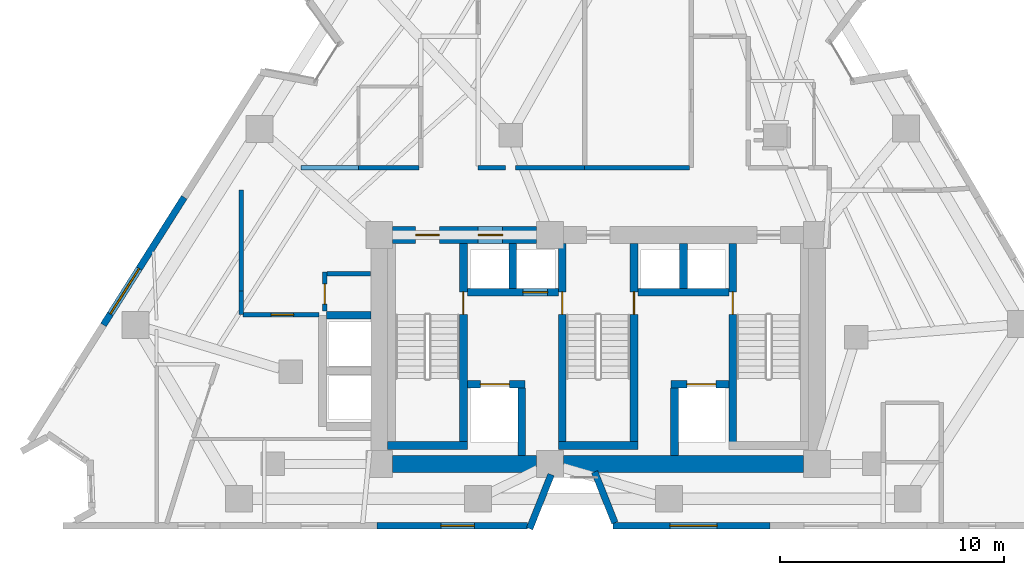
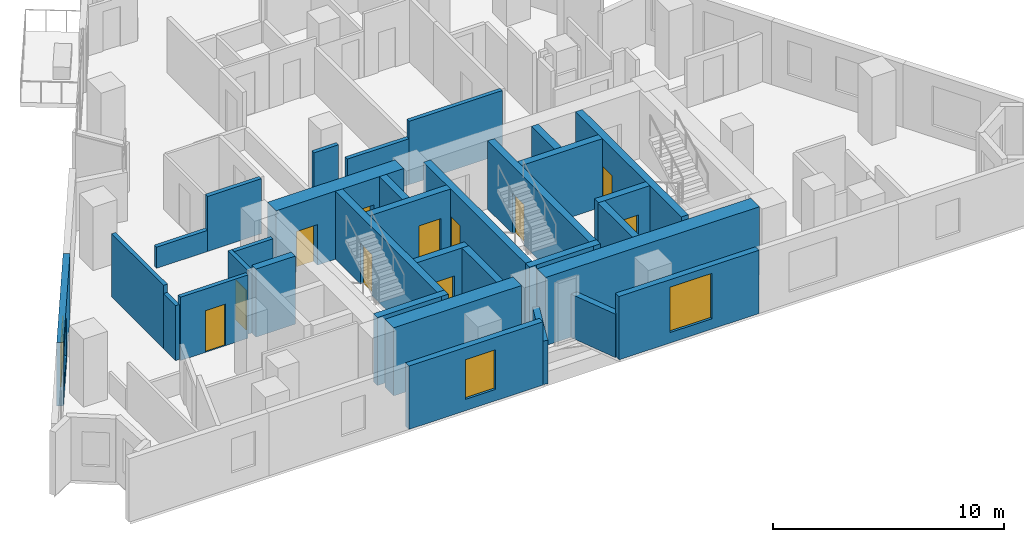
# One storey, part 6 of 11: 33 walls, 11 doors, 3 windows, 14 openings.
"""IFC4 building model written with IfcOpenShell, lengths in metres."""

from ifc_helpers import new_model, si_unit, direction, frame, frame_2d, origin, place, context, subcontext, project, spatial, rectangle, extrude, material, layer, layer_set, type_object, element, fill, save


model = new_model("IFC4")

# Units and contexts
model_context = context("Model", 3, precision=1e-05, world=origin(), true_north=direction((0.0, 1.0)))
body_context = subcontext(model_context, "Body", "Model", "MODEL_VIEW")
ifc_project = project(units=[si_unit("LENGTHUNIT", "METRE"), si_unit("AREAUNIT", "SQUARE_METRE"), si_unit("VOLUMEUNIT", "CUBIC_METRE"), si_unit("PLANEANGLEUNIT", "RADIAN"), si_unit("MASSUNIT", "GRAM", prefix="KILO")], contexts=[model_context])

# Site, building, storey
site_placement = place(None, origin())
site = spatial("IfcSite", under=ifc_project, at=site_placement, CompositionType="ELEMENT")
building_placement = place(site_placement, origin())
building = spatial("IfcBuilding", under=site, at=building_placement, Name="Almagre Mirador Tower", CompositionType="ELEMENT")
storey_placement = place(building_placement, frame((0.0, 0.0, 128.39990234375)))
storey = spatial("IfcBuildingStorey", under=building, at=storey_placement, Name="L32", CompositionType="ELEMENT", Elevation=128.39990234375)

# Wall, opening, window
ifc_material_1 = material(Name="Precast concrete C50/60", Category="concrete")
ifc_layer_1 = layer(ifc_material_1, 0.300048828125)
ifc_layer_set_1 = layer_set([ifc_layer_1], Name="Precast concrete C50/60")
wall_type_1 = type_object("IfcWallType", Name="WAL-EXT-300", PredefinedType="SOLIDWALL", material=ifc_layer_set_1)
wall_1_placement = place(storey_placement, frame((44.953369140625, 1.800048828125, 0.0), z_axis=(0.0, 0.0, 1.0), x_axis=(-1.0, 0.0, 0.0)))
wall_1 = element("IfcWall", 1, at=wall_1_placement, inside=storey, type_object=wall_type_1, Name="L32 expressed almagre precast frame wall 23", PredefinedType="SOLIDWALL", context=body_context, shape_type="SweptSolid", body=[
    extrude(rectangle(XDim=6.993408203125, YDim=0.300048828125, at=frame_2d((3.49658203125, 0.0))), origin(), (0.0, 0.0, 1.0), 3.35009765625),
])
opening_1_placement = place(wall_1_placement, frame((2.35009765625, 0.0, 0.550048828125)))
opening_1 = element("IfcOpeningElement", 2, at=opening_1_placement, cuts=wall_1, Name="Opening WN-05", PredefinedType="OPENING", context=body_context, shape_type="SweptSolid", body=[
    extrude(rectangle(XDim=2.10009765625, YDim=2.39990234375, at=frame_2d((1.050048828125, 1.199951171875))), frame((0.0, 0.159902, 0.0), z_axis=(0.0, -1.0, 0.0), x_axis=(1.0, 0.0, 0.0)), (0.0, 0.0, 1.0), 0.320049),
])
ifc_material_2 = material(Name="Dark solar-control laminated hurricane glass", Category="glass")
window_type_1 = type_object("IfcWindowType", Name="WIN-2100X2400", PartitioningType="DOUBLE_PANEL_VERTICAL", PredefinedType="WINDOW", material=ifc_material_2)
window_1_placement = place(opening_1_placement, origin())
window_1 = element("IfcWindow", 3, at=window_1_placement, inside=storey, type_object=window_type_1, Name="L32 recessed hurricane window L32-RST-B", OverallHeight=2.39990234375, OverallWidth=2.10009765625, PartitioningType="SINGLE_PANEL", PredefinedType="WINDOW", context=body_context, shape_type="SweptSolid", body=[
    extrude(rectangle(XDim=2.10009765625, YDim=2.39990234375, at=frame_2d((1.050048828125, 1.199951171875))), frame((0.0, 0.030029296875, 0.0), z_axis=(0.0, -1.0, 0.0), x_axis=(1.0, 0.0, 0.0)), (0.0, 0.0, 1.0), 0.06005859375),
])
fill(opening_1, window_1)

# Walls
wall_2_placement = place(storey_placement, frame((38.048095703125, 1.93017578125, 0.0), z_axis=(0.0, 0.0, 1.0), x_axis=(-0.369476217581, 0.929240186734, 0.0)))
element("IfcWall", 4, at=wall_2_placement, inside=storey, type_object=wall_type_1, Name="L32 expressed almagre precast frame wall 24", PredefinedType="SOLIDWALL", context=body_context, shape_type="SweptSolid", body=[
    extrude(rectangle(XDim=2.441650390625, YDim=0.300048828125, at=frame_2d((1.220703125, 0.0))), origin(), (0.0, 0.0, 1.0), 2.300048828125),
])
wall_3_placement = place(storey_placement, frame((35.206787109375, 4.080078125, 0.0), z_axis=(0.0, 0.0, 1.0), x_axis=(-0.369539870332, -0.929214875169, 0.0)))
element("IfcWall", 5, at=wall_3_placement, inside=storey, type_object=wall_type_1, Name="L32 expressed almagre precast frame wall 25", PredefinedType="SOLIDWALL", context=body_context, shape_type="SweptSolid", body=[
    extrude(rectangle(XDim=2.59375, YDim=0.300048828125, at=frame_2d((1.296875, 0.0))), origin(), (0.0, 0.0, 1.0), 2.300048828125),
])

# Wall, opening, window
wall_4_placement = place(storey_placement, frame((34.159912109375, 1.800048828125, 0.0), z_axis=(0.0, 0.0, 1.0), x_axis=(-1.0, 0.0, 0.0)))
wall_4 = element("IfcWall", 6, at=wall_4_placement, inside=storey, type_object=wall_type_1, Name="L32 expressed almagre precast frame wall 26", PredefinedType="SOLIDWALL", context=body_context, shape_type="SweptSolid", body=[
    extrude(rectangle(XDim=6.713134765625, YDim=0.300048828125, at=frame_2d((3.3564453125, 0.0))), origin(), (0.0, 0.0, 1.0), 3.35009765625),
])
opening_2_placement = place(wall_4_placement, frame((2.3701171875, 0.0, 0.60009765625)))
opening_2 = element("IfcOpeningElement", 7, at=opening_2_placement, cuts=wall_4, Name="Opening WN-03", PredefinedType="OPENING", context=body_context, shape_type="SweptSolid", body=[
    extrude(rectangle(XDim=1.5, YDim=2.10009765625, at=frame_2d((0.75, 1.050048828125))), frame((0.0, 0.159902, 0.0), z_axis=(0.0, -1.0, 0.0), x_axis=(1.0, 0.0, 0.0)), (0.0, 0.0, 1.0), 0.320049),
])
ifc_material_3 = material(Name="Dark solar-control laminated hurricane glass", Category="glass")
window_type_2 = type_object("IfcWindowType", Name="WIN-1500X2100", PartitioningType="DOUBLE_PANEL_VERTICAL", PredefinedType="WINDOW", material=ifc_material_3)
window_2_placement = place(opening_2_placement, origin())
window_2 = element("IfcWindow", 8, at=window_2_placement, inside=storey, type_object=window_type_2, Name="L32 recessed hurricane window L32-RST-B", OverallHeight=2.10009765625, OverallWidth=1.5, PartitioningType="SINGLE_PANEL", PredefinedType="WINDOW", context=body_context, shape_type="SweptSolid", body=[
    extrude(rectangle(XDim=1.5, YDim=2.10009765625, at=frame_2d((0.75, 1.050048828125))), frame((0.0, 0.030029296875, 0.0), z_axis=(0.0, -1.0, 0.0), x_axis=(1.0, 0.0, 0.0)), (0.0, 0.0, 1.0), 0.06005859375),
])
fill(opening_2, window_2)

wall_5_placement = place(storey_placement, frame((15.262451171875, 10.74560546875, 0.0), z_axis=(0.0, 0.0, 1.0), x_axis=(0.534880248718, 0.844927878302, 0.0)))
wall_5 = element("IfcWall", 9, at=wall_5_placement, inside=storey, type_object=wall_type_1, Name="L32 expressed almagre precast frame wall 34", PredefinedType="SOLIDWALL", context=body_context, shape_type="SweptSolid", body=[
    extrude(rectangle(XDim=6.72705078125, YDim=0.300048828125, at=frame_2d((3.363525390625, 0.0))), origin(), (0.0, 0.0, 1.0), 3.35009765625),
])
opening_3_placement = place(wall_5_placement, frame((0.574951171875, 0.0, 0.60009765625)))
opening_3 = element("IfcOpeningElement", 10, at=opening_3_placement, cuts=wall_5, Name="Opening WN-02", PredefinedType="OPENING", context=body_context, shape_type="SweptSolid", body=[
    extrude(rectangle(XDim=2.39990234375, YDim=2.10009765625, at=frame_2d((1.199951171875, 1.050048828125))), frame((0.0, 0.159902, 0.0), z_axis=(0.0, -1.0, 0.0), x_axis=(1.0, 0.0, 0.0)), (0.0, 0.0, 1.0), 0.320049),
])
ifc_material_4 = material(Name="Dark solar-control laminated hurricane glass", Category="glass")
window_type_3 = type_object("IfcWindowType", Name="WIN-2400X2100", PartitioningType="TRIPLE_PANEL_VERTICAL", PredefinedType="WINDOW", material=ifc_material_4)
window_3_placement = place(opening_3_placement, origin())
window_3 = element("IfcWindow", 11, at=window_3_placement, inside=storey, type_object=window_type_3, Name="L32 recessed hurricane window L32-UD-KT", OverallHeight=2.10009765625, OverallWidth=2.39990234375, PartitioningType="SINGLE_PANEL", PredefinedType="WINDOW", context=body_context, shape_type="SweptSolid", body=[
    extrude(rectangle(XDim=2.39990234375, YDim=2.10009765625, at=frame_2d((1.199951171875, 1.050048828125))), frame((0.0, 0.030029296875, 0.0), z_axis=(0.0, -1.0, 0.0), x_axis=(1.0, 0.0, 0.0)), (0.0, 0.0, 1.0), 0.06005859375),
])
fill(opening_3, window_3)

# Wall, opening, door
ifc_material_5 = material(Name="Gypsum acoustic stud partition", Category="other")
ifc_layer_2 = layer(ifc_material_5, 0.199951171875)
ifc_layer_set_2 = layer_set([ifc_layer_2], Name="Gypsum acoustic stud partition")
wall_type_2 = type_object("IfcWallType", Name="WAL-PRT-200-EI60", PredefinedType="PARTITIONING", material=ifc_layer_set_2)
wall_6_placement = place(storey_placement, frame((25.1201171875, 11.3701171875, 0.0), z_axis=(0.0, 0.0, 1.0), x_axis=(0.0, 1.0, 0.0)))
wall_6 = element("IfcWall", 12, at=wall_6_placement, inside=storey, type_object=wall_type_2, Name="L32 core ancillary west wall", PredefinedType="PARTITIONING", context=body_context, shape_type="SweptSolid", body=[
    extrude(rectangle(XDim=1.739990234375, YDim=0.199951171875, at=frame_2d((0.8701171875, 0.0))), origin(), (0.0, 0.0, 1.0), 3.35009765625),
])
opening_4_placement = place(wall_6_placement, frame((0.304931640625, 0.0, 0.0)))
opening_4 = element("IfcOpeningElement", 13, at=opening_4_placement, cuts=wall_6, Name="Opening ID-03", PredefinedType="OPENING", context=body_context, shape_type="SweptSolid", body=[
    extrude(rectangle(XDim=0.89990234375, YDim=2.10009765625, at=frame_2d((0.449951171875, 1.050048828125))), frame((0.0, 0.110098, 0.0), z_axis=(0.0, -1.0, 0.0), x_axis=(1.0, 0.0, 0.0)), (0.0, 0.0, 1.0), 0.219951),
])
ifc_material_6 = material(Name="Fire-rated hollow steel", Category="steel")
door_type_1 = type_object("IfcDoorType", Name="DOR-FD60-900X2100", OperationType="NOTDEFINED", PredefinedType="DOOR", material=ifc_material_6)
door_1_placement = place(opening_4_placement, origin())
door_1 = element("IfcDoor", 14, at=door_1_placement, inside=storey, type_object=door_type_1, Name="DR-1038 L32 core ancillary corridor door", OperationType="SINGLE_SWING_LEFT", OverallHeight=2.10009765625, OverallWidth=0.89990234375, PredefinedType="DOOR", context=body_context, shape_type="SweptSolid", body=[
    extrude(rectangle(XDim=0.89990234375, YDim=2.10009765625, at=frame_2d((0.449951171875, 1.050048828125))), frame((0.0, 0.02490234375, 0.0), z_axis=(0.0, -1.0, 0.0), x_axis=(1.0, 0.0, 0.0)), (0.0, 0.0, 1.0), 0.050048828125),
])
fill(opening_4, door_1)

# Walls
wall_7_placement = place(storey_placement, frame((25.22509765625, 13.02001953125, 0.0), z_axis=(0.0, 0.0, 1.0), x_axis=(1.0, 0.0, 0.0)))
element("IfcWall", 15, at=wall_7_placement, inside=storey, type_object=wall_type_2, Name="L32 core ancillary north wall", PredefinedType="PARTITIONING", context=body_context, shape_type="SweptSolid", body=[
    extrude(rectangle(XDim=1.934814453125, YDim=0.199951171875, at=frame_2d((0.96728515625, 0.0))), origin(), (0.0, 0.0, 1.0), 3.35009765625),
])
wall_8_placement = place(storey_placement, frame((21.39990234375, 12.25, 0.0), z_axis=(0.0, 0.0, 1.0), x_axis=(0.0, -1.0, 0.0)))
element("IfcWall", 16, at=wall_8_placement, inside=storey, type_object=wall_type_2, Name="L32 interior partition 001", PredefinedType="PARTITIONING", context=body_context, shape_type="SweptSolid", body=[
    extrude(rectangle(XDim=1.050048828125, YDim=0.199951171875, at=frame_2d((0.52490234375, 0.0))), origin(), (0.0, 0.0, 1.0), 2.9111328125),
])

# Wall, opening, door
wall_9_placement = place(storey_placement, frame((21.485107421875, 11.199951171875, 0.0), z_axis=(0.0, 0.0, 1.0), x_axis=(1.0, 0.0, 0.0)))
wall_9 = element("IfcWall", 17, at=wall_9_placement, inside=storey, type_object=wall_type_2, Name="L32 interior partition 002", PredefinedType="PARTITIONING", context=body_context, shape_type="SweptSolid", body=[
    extrude(rectangle(XDim=3.384033203125, YDim=0.199951171875, at=frame_2d((1.69189453125, 0.0))), origin(), (0.0, 0.0, 1.0), 3.35009765625),
])
opening_5_placement = place(wall_9_placement, frame((1.249755859375, 0.0, 0.0)))
opening_5 = element("IfcOpeningElement", 18, at=opening_5_placement, cuts=wall_9, Name="Opening ID-01", PredefinedType="OPENING", context=body_context, shape_type="SweptSolid", body=[
    extrude(rectangle(XDim=1.0, YDim=2.199951171875, at=frame_2d((0.5, 1.10009765625))), frame((0.0, 0.110098, 0.0), z_axis=(0.0, -1.0, 0.0), x_axis=(1.0, 0.0, 0.0)), (0.0, 0.0, 1.0), 0.219951),
])
ifc_material_7 = material(Name="Fire-rated walnut timber", Category="wood")
door_type_2 = type_object("IfcDoorType", Name="DOR-FD60-1000X2200", OperationType="NOTDEFINED", PredefinedType="DOOR", material=ifc_material_7)
door_2_placement = place(opening_5_placement, origin())
door_2 = element("IfcDoor", 19, at=door_2_placement, inside=storey, type_object=door_type_2, Name="DR-1043 L32 interior door L32-RCOR to L32-UA-ST", OperationType="SINGLE_SWING_RIGHT", OverallHeight=2.199951171875, OverallWidth=1.0, PredefinedType="DOOR", context=body_context, shape_type="SweptSolid", body=[
    extrude(rectangle(XDim=1.0, YDim=2.199951171875, at=frame_2d((0.5, 1.10009765625))), frame((0.0, 0.02490234375, 0.0), z_axis=(0.0, -1.0, 0.0), x_axis=(1.0, 0.0, 0.0)), (0.0, 0.0, 1.0), 0.050048828125),
])
fill(opening_5, door_2)

# Walls
wall_10_placement = place(storey_placement, frame((21.39990234375, 16.75, 0.0), z_axis=(0.0, 0.0, 1.0), x_axis=(0.0, -1.0, 0.0)))
element("IfcWall", 20, at=wall_10_placement, inside=storey, type_object=wall_type_2, Name="L32 interior partition 004", PredefinedType="PARTITIONING", context=body_context, shape_type="SweptSolid", body=[
    extrude(rectangle(XDim=4.5, YDim=0.199951171875, at=frame_2d((2.25, 0.0))), origin(), (0.0, 0.0, 1.0), 3.35009765625),
])
wall_11_placement = place(storey_placement, frame((26.6201171875, 17.75, 0.0), z_axis=(0.0, 0.0, 1.0), x_axis=(-1.0, 0.0, 0.0)))
element("IfcWall", 21, at=wall_11_placement, inside=storey, type_object=wall_type_2, Name="L32 interior partition 005", PredefinedType="PARTITIONING", context=body_context, shape_type="SweptSolid", body=[
    extrude(rectangle(XDim=2.550048828125, YDim=0.199951171875, at=frame_2d((1.27490234375, 0.0))), origin(), (0.0, 0.0, 1.0), 1.1201171875),
])
wall_12_placement = place(storey_placement, frame((29.31494140625, 17.75, 0.0), z_axis=(0.0, 0.0, 1.0), x_axis=(-1.0, 0.0, 0.0)))
element("IfcWall", 22, at=wall_12_placement, inside=storey, type_object=wall_type_2, Name="L32 interior partition 009", PredefinedType="PARTITIONING", context=body_context, shape_type="SweptSolid", body=[
    extrude(rectangle(XDim=2.69482421875, YDim=0.199951171875, at=frame_2d((1.347412109375, 0.0))), origin(), (0.0, 0.0, 1.0), 2.9111328125),
])
wall_13_placement = place(storey_placement, frame((33.179931640625, 17.75, 0.0), z_axis=(0.0, 0.0, 1.0), x_axis=(-1.0, 0.0, 0.0)))
element("IfcWall", 23, at=wall_13_placement, inside=storey, type_object=wall_type_2, Name="L32 interior partition 010", PredefinedType="PARTITIONING", context=body_context, shape_type="SweptSolid", body=[
    extrude(rectangle(XDim=1.22998046875, YDim=0.199951171875, at=frame_2d((0.614990234375, 0.0))), origin(), (0.0, 0.0, 1.0), 3.35009765625),
])
wall_14_placement = place(storey_placement, frame((36.699951171875, 17.75, 0.0), z_axis=(0.0, 0.0, 1.0), x_axis=(-1.0, 0.0, 0.0)))
element("IfcWall", 24, at=wall_14_placement, inside=storey, type_object=wall_type_2, Name="L32 interior partition 012", PredefinedType="PARTITIONING", context=body_context, shape_type="SweptSolid", body=[
    extrude(rectangle(XDim=3.079833984375, YDim=0.199951171875, at=frame_2d((1.5400390625, 0.0))), origin(), (0.0, 0.0, 1.0), 2.43603515625),
])
wall_15_placement = place(storey_placement, frame((41.364990234375, 17.75, 0.0), z_axis=(0.0, 0.0, 1.0), x_axis=(-1.0, 0.0, 0.0)))
element("IfcWall", 25, at=wall_15_placement, inside=storey, type_object=wall_type_2, Name="L32 interior partition 014", PredefinedType="PARTITIONING", context=body_context, shape_type="SweptSolid", body=[
    extrude(rectangle(XDim=4.6650390625, YDim=0.199951171875, at=frame_2d((2.33251953125, 0.0))), origin(), (0.0, 0.0, 1.0), 3.35009765625),
])

# Wall, opening, door
ifc_material_8 = material(Name="Concrete C60/75", Category="concrete")
ifc_layer_3 = layer(ifc_material_8, 0.35009765625)
ifc_layer_set_3 = layer_set([ifc_layer_3], Name="Concrete C60/75")
wall_type_3 = type_object("IfcWallType", Name="WAL-SHF-350", PredefinedType="SOLIDWALL", material=ifc_layer_set_3)
wall_16_placement = place(storey_placement, frame((31.300048828125, 5.199951171875, 0.0), z_axis=(0.0, 0.0, 1.0), x_axis=(0.0, 1.0, 0.0)))
wall_16 = element("IfcWall", 26, at=wall_16_placement, inside=storey, type_object=wall_type_3, Name="L32 shaft wall ST1-E", PredefinedType="SOLIDWALL", context=body_context, shape_type="SweptSolid", body=[
    extrude(rectangle(XDim=9.175048828125, YDim=0.35009765625, at=frame_2d((4.58740234375, 0.0))), origin(), (0.0, 0.0, 1.0), 3.60009765625),
])
opening_6_placement = place(wall_16_placement, frame((6.02001953125, 0.0, 0.0)))
opening_6 = element("IfcOpeningElement", 27, at=opening_6_placement, cuts=wall_16, Name="Opening FD-01", PredefinedType="OPENING", context=body_context, shape_type="SweptSolid", body=[
    extrude(rectangle(XDim=1.0, YDim=2.14990234375, at=frame_2d((0.5, 1.074951171875))), frame((0.0, 0.185049, 0.0), z_axis=(0.0, -1.0, 0.0), x_axis=(1.0, 0.0, 0.0)), (0.0, 0.0, 1.0), 0.370098),
])
ifc_material_9 = material(Name="Fire-rated hollow steel", Category="steel")
door_type_3 = type_object("IfcDoorType", Name="DOR-FFL-1000X2150", OperationType="NOTDEFINED", PredefinedType="DOOR", material=ifc_material_9)
door_3_placement = place(opening_6_placement, origin())
door_3 = element("IfcDoor", 28, at=door_3_placement, inside=storey, type_object=door_type_3, Name="DR-1039 L32 FFL1-ST1 smokeproof door", OperationType="SINGLE_SWING_LEFT", OverallHeight=2.14990234375, OverallWidth=1.0, PredefinedType="DOOR", context=body_context, shape_type="SweptSolid", body=[
    extrude(rectangle(XDim=1.0, YDim=2.14990234375, at=frame_2d((0.5, 1.074951171875))), frame((0.0, 0.02490234375, 0.0), z_axis=(0.0, -1.0, 0.0), x_axis=(1.0, 0.0, 0.0)), (0.0, 0.0, 1.0), 0.050048828125),
])
fill(opening_6, door_3)

# Wall
wall_17_placement = place(storey_placement, frame((27.925048828125, 5.375, 0.0), z_axis=(0.0, 0.0, 1.0), x_axis=(1.0, 0.0, 0.0)))
element("IfcWall", 29, at=wall_17_placement, inside=storey, type_object=wall_type_3, Name="L32 shaft wall ST1-S", PredefinedType="SOLIDWALL", context=body_context, shape_type="SweptSolid", body=[
    extrude(rectangle(XDim=3.550048828125, YDim=0.35009765625, at=frame_2d((1.77490234375, 0.0))), origin(), (0.0, 0.0, 1.0), 3.60009765625),
])

# Wall, opening, door
wall_18_placement = place(storey_placement, frame((35.699951171875, 5.199951171875, 0.0), z_axis=(0.0, 0.0, 1.0), x_axis=(0.0, 1.0, 0.0)))
wall_18 = element("IfcWall", 30, at=wall_18_placement, inside=storey, type_object=wall_type_3, Name="L32 shaft wall ST2-W", PredefinedType="SOLIDWALL", context=body_context, shape_type="SweptSolid", body=[
    extrude(rectangle(XDim=9.175048828125, YDim=0.35009765625, at=frame_2d((4.58740234375, 0.0))), origin(), (0.0, 0.0, 1.0), 3.60009765625),
])
opening_7_placement = place(wall_18_placement, frame((6.02001953125, 0.0, 0.0)))
opening_7 = element("IfcOpeningElement", 31, at=opening_7_placement, cuts=wall_18, Name="Opening FD-01", PredefinedType="OPENING", context=body_context, shape_type="SweptSolid", body=[
    extrude(rectangle(XDim=1.0, YDim=2.14990234375, at=frame_2d((0.5, 1.074951171875))), frame((0.0, 0.185049, 0.0), z_axis=(0.0, -1.0, 0.0), x_axis=(1.0, 0.0, 0.0)), (0.0, 0.0, 1.0), 0.370098),
])
door_4_placement = place(opening_7_placement, origin())
door_4 = element("IfcDoor", 32, at=door_4_placement, inside=storey, type_object=door_type_3, Name="DR-1040 L32 FFL1-ST2 smokeproof door", OperationType="SINGLE_SWING_RIGHT", OverallHeight=2.14990234375, OverallWidth=1.0, PredefinedType="DOOR", context=body_context, shape_type="SweptSolid", body=[
    extrude(rectangle(XDim=1.0, YDim=2.14990234375, at=frame_2d((0.5, 1.074951171875))), frame((0.0, 0.02490234375, 0.0), z_axis=(0.0, -1.0, 0.0), x_axis=(1.0, 0.0, 0.0)), (0.0, 0.0, 1.0), 0.050048828125),
])
fill(opening_7, door_4)

wall_19_placement = place(storey_placement, frame((38.89990234375, 5.199951171875, 0.0), z_axis=(0.0, 0.0, 1.0), x_axis=(0.0, 1.0, 0.0)))
wall_19 = element("IfcWall", 33, at=wall_19_placement, inside=storey, type_object=wall_type_3, Name="L32 shaft wall ST2-E", PredefinedType="SOLIDWALL", context=body_context, shape_type="SweptSolid", body=[
    extrude(rectangle(XDim=9.175048828125, YDim=0.35009765625, at=frame_2d((4.58740234375, 0.0))), origin(), (0.0, 0.0, 1.0), 3.60009765625),
])
opening_8_placement = place(wall_19_placement, frame((6.02001953125, 0.0, 0.0)))
opening_8 = element("IfcOpeningElement", 34, at=opening_8_placement, cuts=wall_19, Name="Opening FD-01", PredefinedType="OPENING", context=body_context, shape_type="SweptSolid", body=[
    extrude(rectangle(XDim=1.0, YDim=2.14990234375, at=frame_2d((0.5, 1.074951171875))), frame((0.0, 0.185049, 0.0), z_axis=(0.0, -1.0, 0.0), x_axis=(1.0, 0.0, 0.0)), (0.0, 0.0, 1.0), 0.370098),
])
door_5_placement = place(opening_8_placement, origin())
door_5 = element("IfcDoor", 35, at=door_5_placement, inside=storey, type_object=door_type_3, Name="DR-1041 L32 FFL2-ST2 smokeproof door", OperationType="SINGLE_SWING_LEFT", OverallHeight=2.14990234375, OverallWidth=1.0, PredefinedType="DOOR", context=body_context, shape_type="SweptSolid", body=[
    extrude(rectangle(XDim=1.0, YDim=2.14990234375, at=frame_2d((0.5, 1.074951171875))), frame((0.0, 0.02490234375, 0.0), z_axis=(0.0, -1.0, 0.0), x_axis=(1.0, 0.0, 0.0)), (0.0, 0.0, 1.0), 0.050048828125),
])
fill(opening_8, door_5)

# Wall
wall_20_placement = place(storey_placement, frame((35.52490234375, 5.375, 0.0), z_axis=(0.0, 0.0, 1.0), x_axis=(1.0, 0.0, 0.0)))
element("IfcWall", 36, at=wall_20_placement, inside=storey, type_object=wall_type_3, Name="L32 shaft wall ST2-S", PredefinedType="SOLIDWALL", context=body_context, shape_type="SweptSolid", body=[
    extrude(rectangle(XDim=3.550048828125, YDim=0.35009765625, at=frame_2d((1.77490234375, 0.0))), origin(), (0.0, 0.0, 1.0), 3.60009765625),
])

# Wall, opening, door
wall_21_placement = place(storey_placement, frame((43.300048828125, 5.199951171875, 0.0), z_axis=(0.0, 0.0, 1.0), x_axis=(0.0, 1.0, 0.0)))
wall_21 = element("IfcWall", 37, at=wall_21_placement, inside=storey, type_object=wall_type_3, Name="L32 shaft wall ST3-W", PredefinedType="SOLIDWALL", context=body_context, shape_type="SweptSolid", body=[
    extrude(rectangle(XDim=9.175048828125, YDim=0.35009765625, at=frame_2d((4.58740234375, 0.0))), origin(), (0.0, 0.0, 1.0), 3.60009765625),
])
opening_9_placement = place(wall_21_placement, frame((6.02001953125, 0.0, 0.0)))
opening_9 = element("IfcOpeningElement", 38, at=opening_9_placement, cuts=wall_21, Name="Opening FD-01", PredefinedType="OPENING", context=body_context, shape_type="SweptSolid", body=[
    extrude(rectangle(XDim=1.0, YDim=2.14990234375, at=frame_2d((0.5, 1.074951171875))), frame((0.0, 0.185049, 0.0), z_axis=(0.0, -1.0, 0.0), x_axis=(1.0, 0.0, 0.0)), (0.0, 0.0, 1.0), 0.370098),
])
door_6_placement = place(opening_9_placement, origin())
door_6 = element("IfcDoor", 39, at=door_6_placement, inside=storey, type_object=door_type_3, Name="DR-1042 L32 FFL2-ST3 smokeproof door", OperationType="SINGLE_SWING_RIGHT", OverallHeight=2.14990234375, OverallWidth=1.0, PredefinedType="DOOR", context=body_context, shape_type="SweptSolid", body=[
    extrude(rectangle(XDim=1.0, YDim=2.14990234375, at=frame_2d((0.5, 1.074951171875))), frame((0.0, 0.02490234375, 0.0), z_axis=(0.0, -1.0, 0.0), x_axis=(1.0, 0.0, 0.0)), (0.0, 0.0, 1.0), 0.050048828125),
])
fill(opening_9, door_6)

wall_22_placement = place(storey_placement, frame((31.47509765625, 8.10009765625, 0.0), z_axis=(0.0, 0.0, 1.0), x_axis=(1.0, 0.0, 0.0)))
wall_22 = element("IfcWall", 40, at=wall_22_placement, inside=storey, type_object=wall_type_3, Name="L32 shaft wall FSAE1-N", PredefinedType="SOLIDWALL", context=body_context, shape_type="SweptSolid", body=[
    extrude(rectangle(XDim=2.574951171875, YDim=0.35009765625, at=frame_2d((1.28759765625, 0.0))), origin(), (0.0, 0.0, 1.0), 3.60009765625),
])
opening_10_placement = place(wall_22_placement, frame((0.574951171875, 0.0, 0.0)))
opening_10 = element("IfcOpeningElement", 41, at=opening_10_placement, cuts=wall_22, Name="Opening LD-03", PredefinedType="OPENING", context=body_context, shape_type="SweptSolid", body=[
    extrude(rectangle(XDim=1.300048828125, YDim=2.25, at=frame_2d((0.64990234375, 1.125))), frame((0.0, 0.185049, 0.0), z_axis=(0.0, -1.0, 0.0), x_axis=(1.0, 0.0, 0.0)), (0.0, 0.0, 1.0), 0.370098),
])
ifc_material_10 = material(Name="Hollow stainless steel", Category="steel")
door_type_4 = type_object("IfcDoorType", Name="DOR-LD-1300X2250", OperationType="DOUBLE_DOOR_SLIDING", PredefinedType="DOOR", material=ifc_material_10)
door_7_placement = place(opening_10_placement, origin())
door_7 = element("IfcDoor", 42, at=door_7_placement, inside=storey, type_object=door_type_4, Name="DR-1058 L32 FSAE-1 lift landing door", OperationType="DOUBLE_DOOR_SLIDING", OverallHeight=2.25, OverallWidth=1.300048828125, PredefinedType="DOOR", context=body_context, shape_type="SweptSolid", body=[
    extrude(rectangle(XDim=1.300048828125, YDim=2.25, at=frame_2d((0.64990234375, 1.125))), frame((0.0, 0.02490234375, 0.0), z_axis=(0.0, -1.0, 0.0), x_axis=(1.0, 0.0, 0.0)), (0.0, 0.0, 1.0), 0.050048828125),
])
fill(opening_10, door_7)

wall_23_placement = place(storey_placement, frame((40.550048828125, 8.10009765625, 0.0), z_axis=(0.0, 0.0, 1.0), x_axis=(1.0, 0.0, 0.0)))
wall_23 = element("IfcWall", 43, at=wall_23_placement, inside=storey, type_object=wall_type_3, Name="L32 shaft wall FSAE2-N", PredefinedType="SOLIDWALL", context=body_context, shape_type="SweptSolid", body=[
    extrude(rectangle(XDim=2.574951171875, YDim=0.35009765625, at=frame_2d((1.28759765625, 0.0))), origin(), (0.0, 0.0, 1.0), 3.60009765625),
])
opening_11_placement = place(wall_23_placement, frame((0.699951171875, 0.0, 0.0)))
opening_11 = element("IfcOpeningElement", 44, at=opening_11_placement, cuts=wall_23, Name="Opening LD-03", PredefinedType="OPENING", context=body_context, shape_type="SweptSolid", body=[
    extrude(rectangle(XDim=1.300048828125, YDim=2.25, at=frame_2d((0.64990234375, 1.125))), frame((0.0, 0.185049, 0.0), z_axis=(0.0, -1.0, 0.0), x_axis=(1.0, 0.0, 0.0)), (0.0, 0.0, 1.0), 0.370098),
])
door_8_placement = place(opening_11_placement, origin())
door_8 = element("IfcDoor", 45, at=door_8_placement, inside=storey, type_object=door_type_4, Name="DR-1059 L32 FSAE-2 lift landing door", OperationType="DOUBLE_DOOR_SLIDING", OverallHeight=2.25, OverallWidth=1.300048828125, PredefinedType="DOOR", context=body_context, shape_type="SweptSolid", body=[
    extrude(rectangle(XDim=1.300048828125, YDim=2.25, at=frame_2d((0.64990234375, 1.125))), frame((0.0, 0.02490234375, 0.0), z_axis=(0.0, -1.0, 0.0), x_axis=(1.0, 0.0, 0.0)), (0.0, 0.0, 1.0), 0.050048828125),
])
fill(opening_11, door_8)

# Walls
for number, where, z_axis, x_axis, name in (
    (46, (33.89990234375, 4.925048828125, 0.0), (0.0, 0.0, 1.0), (0.0, 1.0, 0.0), "L32 shaft wall FSAE1-E"),
    (47, (40.699951171875, 4.925048828125, 0.0), (0.0, 0.0, 1.0), (0.0, 1.0, 0.0), "L32 shaft wall FSAE2-W"),
):
    element("IfcWall", number, at=place(storey_placement, frame(where, z_axis=z_axis, x_axis=x_axis)), inside=storey, type_object=wall_type_3, Name=name, PredefinedType="SOLIDWALL", context=body_context, shape_type="SweptSolid", body=[
        extrude(rectangle(XDim=3.0, YDim=0.35009765625, at=frame_2d((1.5, 0.0))), origin(), (0.0, 0.0, 1.0), 3.60009765625),
    ])

# Wall, opening, door
wall_24_placement = place(storey_placement, frame((31.47509765625, 12.199951171875, 0.0), z_axis=(0.0, 0.0, 1.0), x_axis=(1.0, 0.0, 0.0)))
wall_24 = element("IfcWall", 48, at=wall_24_placement, inside=storey, type_object=wall_type_3, Name="L32 shaft wall PLM-S", PredefinedType="SOLIDWALL", context=body_context, shape_type="SweptSolid", body=[
    extrude(rectangle(XDim=4.0498046875, YDim=0.35009765625, at=frame_2d((2.02490234375, 0.0))), origin(), (0.0, 0.0, 1.0), 3.60009765625),
])
opening_12_placement = place(wall_24_placement, frame((2.47509765625, 0.0, 0.0)))
opening_12 = element("IfcOpeningElement", 49, at=opening_12_placement, cuts=wall_24, Name="Opening LD-01", PredefinedType="OPENING", context=body_context, shape_type="SweptSolid", body=[
    extrude(rectangle(XDim=1.10009765625, YDim=2.199951171875, at=frame_2d((0.550048828125, 1.10009765625))), frame((0.0, 0.185049, 0.0), z_axis=(0.0, -1.0, 0.0), x_axis=(1.0, 0.0, 0.0)), (0.0, 0.0, 1.0), 0.370098),
])
ifc_material_11 = material(Name="Hollow stainless steel", Category="steel")
door_type_5 = type_object("IfcDoorType", Name="DOR-LD-1100X2200", OperationType="DOUBLE_DOOR_SLIDING", PredefinedType="DOOR", material=ifc_material_11)
door_9_placement = place(opening_12_placement, origin())
door_9 = element("IfcDoor", 50, at=door_9_placement, inside=storey, type_object=door_type_5, Name="DR-1061 L32 PL-M2 lift landing door", OperationType="DOUBLE_DOOR_SLIDING", OverallHeight=2.199951171875, OverallWidth=1.10009765625, PredefinedType="DOOR", context=body_context, shape_type="SweptSolid", body=[
    extrude(rectangle(XDim=1.10009765625, YDim=2.199951171875, at=frame_2d((0.550048828125, 1.10009765625))), frame((0.0, 0.02490234375, 0.0), z_axis=(0.0, -1.0, 0.0), x_axis=(1.0, 0.0, 0.0)), (0.0, 0.0, 1.0), 0.050048828125),
])
fill(opening_12, door_9)

# Walls
wall_25_placement = place(storey_placement, frame((33.5, 12.375, 0.0), z_axis=(0.0, 0.0, 1.0), x_axis=(0.0, 1.0, 0.0)))
element("IfcWall", 51, at=wall_25_placement, inside=storey, type_object=wall_type_3, Name="L32 shaft wall PLM-M", PredefinedType="SOLIDWALL", context=body_context, shape_type="SweptSolid", body=[
    extrude(rectangle(XDim=2.0, YDim=0.35009765625, at=frame_2d((1.0, 0.0))), origin(), (0.0, 0.0, 1.0), 3.60009765625),
])
wall_26_placement = place(storey_placement, frame((39.074951171875, 12.199951171875, 0.0), z_axis=(0.0, 0.0, 1.0), x_axis=(1.0, 0.0, 0.0)))
element("IfcWall", 52, at=wall_26_placement, inside=storey, type_object=wall_type_3, Name="L32 shaft wall PLH-S", PredefinedType="SOLIDWALL", context=body_context, shape_type="SweptSolid", body=[
    extrude(rectangle(XDim=4.050048828125, YDim=0.35009765625, at=frame_2d((2.02490234375, 0.0))), origin(), (0.0, 0.0, 1.0), 3.60009765625),
])
wall_27_placement = place(storey_placement, frame((41.10009765625, 12.375, 0.0), z_axis=(0.0, 0.0, 1.0), x_axis=(0.0, 1.0, 0.0)))
element("IfcWall", 53, at=wall_27_placement, inside=storey, type_object=wall_type_3, Name="L32 shaft wall PLH-M", PredefinedType="SOLIDWALL", context=body_context, shape_type="SweptSolid", body=[
    extrude(rectangle(XDim=2.0, YDim=0.35009765625, at=frame_2d((1.0, 0.0))), origin(), (0.0, 0.0, 1.0), 3.60009765625),
])
wall_28_placement = place(storey_placement, frame((25.199951171875, 11.175048828125, 0.0), z_axis=(0.0, 0.0, 1.0), x_axis=(1.0, 0.0, 0.0)))
element("IfcWall", 54, at=wall_28_placement, inside=storey, type_object=wall_type_3, Name="L32 shaft wall OL-N", PredefinedType="SOLIDWALL", context=body_context, shape_type="SweptSolid", body=[
    extrude(rectangle(XDim=1.97509765625, YDim=0.35009765625, at=frame_2d((0.987548828125, 0.0))), origin(), (0.0, 0.0, 1.0), 3.60009765625),
])
ifc_material_12 = material(Name="Concrete C60/75", Category="concrete")
ifc_layer_4 = layer(ifc_material_12, 0.75)
ifc_layer_set_4 = layer_set([ifc_layer_4], Name="Concrete C60/75")
wall_type_4 = type_object("IfcWallType", Name="WAL-SHR-750", PredefinedType="SHEAR", material=ifc_layer_set_4)
wall_29_placement = place(storey_placement, frame((28.14990234375, 4.550048828125, 0.0), z_axis=(0.0, 0.0, 1.0), x_axis=(1.0, 0.0, 0.0)))
element("IfcWall", 55, at=wall_29_placement, inside=storey, type_object=wall_type_4, Name="L32 core shear wall S1", PredefinedType="SHEAR", context=body_context, shape_type="SweptSolid", body=[
    extrude(rectangle(XDim=6.400146484375, YDim=0.75, at=frame_2d((3.2001953125, 0.0))), origin(), (0.0, 0.0, 1.0), 3.60009765625),
])
wall_30_placement = place(storey_placement, frame((35.75, 4.550048828125, 0.0), z_axis=(0.0, 0.0, 1.0), x_axis=(1.0, 0.0, 0.0)))
element("IfcWall", 56, at=wall_30_placement, inside=storey, type_object=wall_type_4, Name="L32 core shear wall S2", PredefinedType="SHEAR", context=body_context, shape_type="SweptSolid", body=[
    extrude(rectangle(XDim=10.699951171875, YDim=0.75, at=frame_2d((5.35009765625, 0.0))), origin(), (0.0, 0.0, 1.0), 3.60009765625),
])

# Wall, openings, doors
wall_31_placement = place(storey_placement, frame((28.14990234375, 14.75, 0.0), z_axis=(0.0, 0.0, 1.0), x_axis=(1.0, 0.0, 0.0)))
wall_31 = element("IfcWall", 57, at=wall_31_placement, inside=storey, type_object=wall_type_4, Name="L32 core shear wall N1", PredefinedType="SHEAR", context=body_context, shape_type="SweptSolid", body=[
    extrude(rectangle(XDim=6.400146484375, YDim=0.75, at=frame_2d((3.2001953125, 0.0))), origin(), (0.0, 0.0, 1.0), 3.60009765625),
])
opening_13_placement = place(wall_31_placement, frame((1.02490234375, 0.0, 0.0)))
opening_13 = element("IfcOpeningElement", 58, at=opening_13_placement, cuts=wall_31, Name="Opening SD-01", PredefinedType="OPENING", context=body_context, shape_type="SweptSolid", body=[
    extrude(rectangle(XDim=1.050048828125, YDim=2.14990234375, at=frame_2d((0.52490234375, 1.074951171875))), frame((0.0, 0.385, 0.0), z_axis=(0.0, -1.0, 0.0), x_axis=(1.0, 0.0, 0.0)), (0.0, 0.0, 1.0), 0.77),
])
opening_14_placement = place(wall_31_placement, frame((3.800048828125, 0.0, 0.0)))
opening_14 = element("IfcOpeningElement", 59, at=opening_14_placement, cuts=wall_31, Name="Opening LD-01", PredefinedType="OPENING", context=body_context, shape_type="SweptSolid", body=[
    extrude(rectangle(XDim=1.10009765625, YDim=2.199951171875, at=frame_2d((0.550048828125, 1.10009765625))), frame((0.0, 0.385, 0.0), z_axis=(0.0, -1.0, 0.0), x_axis=(1.0, 0.0, 0.0)), (0.0, 0.0, 1.0), 0.77),
])
door_10_placement = place(opening_14_placement, origin())
door_10 = element("IfcDoor", 60, at=door_10_placement, inside=storey, type_object=door_type_5, Name="DR-1060 L32 PL-M1 lift landing door", OperationType="DOUBLE_DOOR_SLIDING", OverallHeight=2.199951171875, OverallWidth=1.10009765625, PredefinedType="DOOR", context=body_context, shape_type="SweptSolid", body=[
    extrude(rectangle(XDim=1.10009765625, YDim=2.199951171875, at=frame_2d((0.550048828125, 1.10009765625))), frame((0.0, 0.02490234375, 0.0), z_axis=(0.0, -1.0, 0.0), x_axis=(1.0, 0.0, 0.0)), (0.0, 0.0, 1.0), 0.050048828125),
])
fill(opening_14, door_10)
ifc_material_13 = material(Name="Fire-rated hollow steel", Category="steel")
door_type_6 = type_object("IfcDoorType", Name="DOR-ST-1050X2150", OperationType="NOTDEFINED", PredefinedType="DOOR", material=ifc_material_13)
door_11_placement = place(opening_13_placement, origin())
door_11 = element("IfcDoor", 61, at=door_11_placement, inside=storey, type_object=door_type_6, Name="DR-1062 L32 protected exit stair ST-1 door", OperationType="SINGLE_SWING_RIGHT", OverallHeight=2.14990234375, OverallWidth=1.050048828125, PredefinedType="DOOR", context=body_context, shape_type="SweptSolid", body=[
    extrude(rectangle(XDim=1.050048828125, YDim=2.14990234375, at=frame_2d((0.52490234375, 1.074951171875))), frame((0.0, 0.02490234375, 0.0), z_axis=(0.0, -1.0, 0.0), x_axis=(1.0, 0.0, 0.0)), (0.0, 0.0, 1.0), 0.050048828125),
])
fill(opening_13, door_11)

save(model, "model.ifc")
